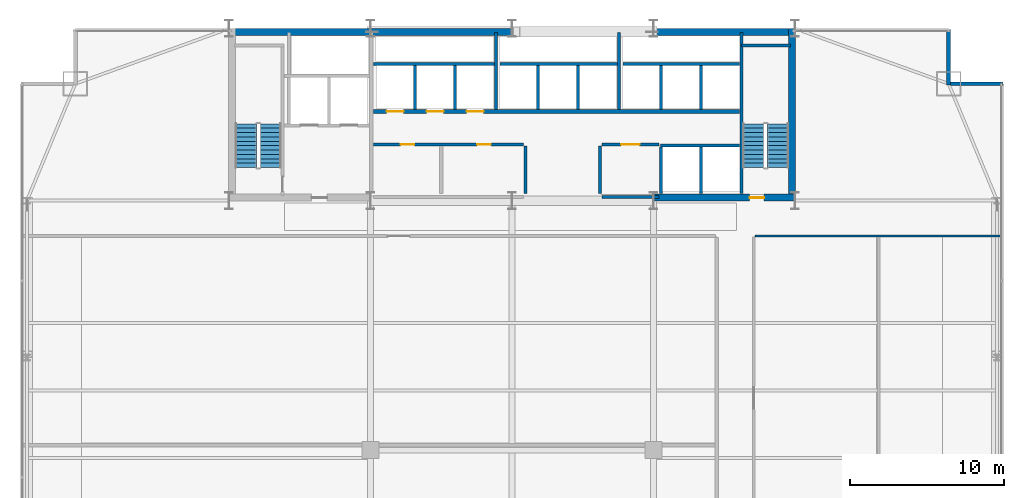
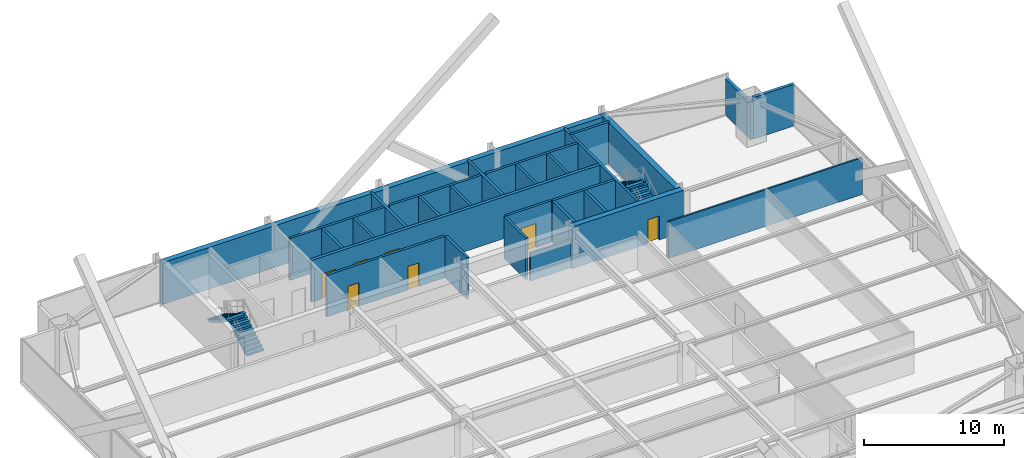
# One storey, part 29 of 32: 28 walls, 7 doors, 4 stair flights, 7 openings, 2 elements without a shape of their own.
"""IFC4 building model written with IfcOpenShell, lengths in metres."""

from ifc_helpers import new_model, si_unit, direction, frame, frame_2d, origin, place, context, subcontext, project, spatial, polyline, rectangle, outline, extrude, source, transform, mapped, material, layer, layer_set, type_object, type_shapes, element, fill, aggregate, save


model = new_model("IFC4")

# Units and contexts
model_context = context("Model", 3, precision=1e-05, world=origin(), true_north=direction((0.0, 1.0)))
body_context = subcontext(model_context, "Body", "Model", "MODEL_VIEW")
ifc_project = project(units=[si_unit("LENGTHUNIT", "METRE"), si_unit("AREAUNIT", "SQUARE_METRE"), si_unit("VOLUMEUNIT", "CUBIC_METRE"), si_unit("PLANEANGLEUNIT", "RADIAN"), si_unit("MASSUNIT", "GRAM", prefix="KILO")], contexts=[model_context])

# Site, building, storey
site_placement = place(None, origin())
site = spatial("IfcSite", under=ifc_project, at=site_placement, CompositionType="ELEMENT")
building_placement = place(site_placement, origin())
building = spatial("IfcBuilding", under=site, at=building_placement, Name="Varnel Quay Broadcast Tower", CompositionType="ELEMENT")
storey_placement = place(building_placement, frame((0.0, 0.0, 43.199951171875)))
storey = spatial("IfcBuildingStorey", under=building, at=storey_placement, Name="L09", CompositionType="ELEMENT", Elevation=43.199951171875)

# Walls
ifc_material_1 = material(Name="Concrete CSA A23.3 C50/60", Category="concrete")
ifc_layer_1 = layer(ifc_material_1, 0.199951171875, Name="Concrete CSA A23.3 C50/60")
ifc_layer_set_1 = layer_set([ifc_layer_1], Name="Concrete CSA A23.3 C50/60")
wall_type_1 = type_object("IfcWallType", Name="Wall_CoreShaftShear200", PredefinedType="SHEAR", material=ifc_layer_set_1)
wall_1_placement = place(storey_placement, frame((48.919921875, 36.050048828125, 0.0), z_axis=(0.0, 0.0, 1.0), x_axis=(0.0, 1.0, 0.0)))
element("IfcWall", 1, at=wall_1_placement, inside=storey, type_object=wall_type_1, Name="L09 Stair 2 West Structural Wall", PredefinedType="SHEAR", context=body_context, shape_type="SweptSolid", body=[
    extrude(rectangle(XDim=10.5, YDim=0.199951171875, at=frame_2d((5.25, 0.0))), origin(), (0.0, 0.0, 1.0), 3.650146484375),
])
wall_2_placement = place(storey_placement, frame((48.919921875, 45.679931640625, 0.0), z_axis=(0.0, 0.0, 1.0), x_axis=(1.0, 0.0, 0.0)))
element("IfcWall", 2, at=wall_2_placement, inside=storey, type_object=wall_type_1, Name="L09 Stair 2 North Structural Wall", PredefinedType="SHEAR", context=body_context, shape_type="SweptSolid", body=[
    extrude(rectangle(XDim=3.18017578125, YDim=0.199951171875, at=frame_2d((1.590087890625, 0.0))), origin(), (0.0, 0.0, 1.0), 3.650146484375),
])
wall_3_placement = place(storey_placement, frame((24.97998046875, 44.5, 0.0), z_axis=(0.0, 0.0, 1.0), x_axis=(1.0, 0.0, 0.0)))
element("IfcWall", 3, at=wall_3_placement, inside=storey, type_object=wall_type_1, Name="L09 Low-Rise Lift Shaft Rear Wall", PredefinedType="SHEAR", context=body_context, shape_type="SweptSolid", body=[
    extrude(rectangle(XDim=7.8701171875, YDim=0.199951171875, at=frame_2d((3.93505859375, 0.0))), origin(), (0.0, 0.0, 1.0), 3.650146484375),
])
for number, where, z_axis, x_axis, name in (
    (4, (27.699951171875, 41.530029296875, 0.0), (0.0, 0.0, 1.0), (0.0, 1.0, 0.0), "L09 Low-Rise Lift Shaft Divider 1"),
    (5, (30.300048828125, 41.530029296875, 0.0), (0.0, 0.0, 1.0), (0.0, 1.0, 0.0), "L09 Low-Rise Lift Shaft Divider 2"),
):
    element("IfcWall", number, at=place(storey_placement, frame(where, z_axis=z_axis, x_axis=x_axis)), inside=storey, type_object=wall_type_1, Name=name, PredefinedType="SHEAR", context=body_context, shape_type="SweptSolid", body=[
        extrude(rectangle(XDim=2.869873046875, YDim=0.199951171875, at=frame_2d((1.43505859375, 0.0))), origin(), (0.0, 0.0, 1.0), 3.650146484375),
    ])
wall_4_placement = place(storey_placement, frame((32.949951171875, 41.530029296875, 0.0), z_axis=(0.0, 0.0, 1.0), x_axis=(0.0, 1.0, 0.0)))
element("IfcWall", 6, at=wall_4_placement, inside=storey, type_object=wall_type_1, Name="L09 Low-Rise Lift Shaft Divider 3", PredefinedType="SHEAR", context=body_context, shape_type="SweptSolid", body=[
    extrude(rectangle(XDim=5.02001953125, YDim=0.199951171875, at=frame_2d((2.510009765625, 0.0))), origin(), (0.0, 0.0, 1.0), 3.650146484375),
])
wall_5_placement = place(storey_placement, frame((33.219970703125, 44.5, 0.0), z_axis=(0.0, 0.0, 1.0), x_axis=(1.0, 0.0, 0.0)))
element("IfcWall", 7, at=wall_5_placement, inside=storey, type_object=wall_type_1, Name="L09 Mid-Rise Lift Shaft Rear Wall", PredefinedType="SHEAR", context=body_context, shape_type="SweptSolid", body=[
    extrude(rectangle(XDim=7.630126953125, YDim=0.199951171875, at=frame_2d((3.81494140625, 0.0))), origin(), (0.0, 0.0, 1.0), 3.650146484375),
])
for number, where, z_axis, x_axis, name in (
    (8, (35.699951171875, 41.530029296875, 0.0), (0.0, 0.0, 1.0), (0.0, 1.0, 0.0), "L09 Mid-Rise Lift Shaft Divider 2"),
    (9, (38.300048828125, 41.530029296875, 0.0), (0.0, 0.0, 1.0), (0.0, 1.0, 0.0), "L09 Mid-Rise Lift Shaft Divider 3"),
):
    element("IfcWall", number, at=place(storey_placement, frame(where, z_axis=z_axis, x_axis=x_axis)), inside=storey, type_object=wall_type_1, Name=name, PredefinedType="SHEAR", context=body_context, shape_type="SweptSolid", body=[
        extrude(rectangle(XDim=2.869873046875, YDim=0.199951171875, at=frame_2d((1.43505859375, 0.0))), origin(), (0.0, 0.0, 1.0), 3.650146484375),
    ])
wall_6_placement = place(storey_placement, frame((40.949951171875, 41.530029296875, 0.0), z_axis=(0.0, 0.0, 1.0), x_axis=(0.0, 1.0, 0.0)))
element("IfcWall", 10, at=wall_6_placement, inside=storey, type_object=wall_type_1, Name="L09 Mid-Rise Lift Shaft Divider 4", PredefinedType="SHEAR", context=body_context, shape_type="SweptSolid", body=[
    extrude(rectangle(XDim=5.02001953125, YDim=0.199951171875, at=frame_2d((2.510009765625, 0.0))), origin(), (0.0, 0.0, 1.0), 3.650146484375),
])
wall_7_placement = place(storey_placement, frame((41.219970703125, 44.5, 0.0), z_axis=(0.0, 0.0, 1.0), x_axis=(1.0, 0.0, 0.0)))
element("IfcWall", 11, at=wall_7_placement, inside=storey, type_object=wall_type_1, Name="L09 High-Rise Lift Shaft Rear Wall", PredefinedType="SHEAR", context=body_context, shape_type="SweptSolid", body=[
    extrude(rectangle(XDim=7.580078125, YDim=0.199951171875, at=frame_2d((3.7900390625, 0.0))), origin(), (0.0, 0.0, 1.0), 3.650146484375),
])
for number, where, z_axis, x_axis, name in (
    (12, (43.699951171875, 41.530029296875, 0.0), (0.0, 0.0, 1.0), (0.0, 1.0, 0.0), "L09 High-Rise Lift Shaft Divider 2"),
    (13, (46.300048828125, 41.530029296875, 0.0), (0.0, 0.0, 1.0), (0.0, 1.0, 0.0), "L09 High-Rise Lift Shaft Divider 3"),
):
    element("IfcWall", number, at=place(storey_placement, frame(where, z_axis=z_axis, x_axis=x_axis)), inside=storey, type_object=wall_type_1, Name=name, PredefinedType="SHEAR", context=body_context, shape_type="SweptSolid", body=[
        extrude(rectangle(XDim=2.869873046875, YDim=0.199951171875, at=frame_2d((1.43505859375, 0.0))), origin(), (0.0, 0.0, 1.0), 3.650146484375),
    ])
for number, where, z_axis, x_axis, name in (
    (14, (43.699951171875, 36.050048828125, 0.0), (0.0, 0.0, 1.0), (0.0, 1.0, 0.0), "L09 Express Lift Shaft West Wall"),
    (15, (46.300048828125, 36.050048828125, 0.0), (0.0, 0.0, 1.0), (0.0, 1.0, 0.0), "L09 Express Lift Shaft Divider"),
):
    element("IfcWall", number, at=place(storey_placement, frame(where, z_axis=z_axis, x_axis=x_axis)), inside=storey, type_object=wall_type_1, Name=name, PredefinedType="SHEAR", context=body_context, shape_type="SweptSolid", body=[
        extrude(rectangle(XDim=3.050048828125, YDim=0.199951171875, at=frame_2d((1.52490234375, 0.0))), origin(), (0.0, 0.0, 1.0), 3.650146484375),
    ])
wall_8_placement = place(storey_placement, frame((43.64990234375, 39.199951171875, 0.0), z_axis=(0.0, 0.0, 1.0), x_axis=(1.0, 0.0, 0.0)))
element("IfcWall", 16, at=wall_8_placement, inside=storey, type_object=wall_type_1, Name="L09 Express Lift Shaft North Front Wall", PredefinedType="SHEAR", context=body_context, shape_type="SweptSolid", body=[
    extrude(rectangle(XDim=5.150146484375, YDim=0.199951171875, at=frame_2d((2.5751953125, 0.0))), origin(), (0.0, 0.0, 1.0), 3.650146484375),
])

# Wall, openings, doors
ifc_layer_2 = layer(ifc_material_1, 0.25, Name="Concrete CSA A23.3 C50/60")
ifc_layer_set_2 = layer_set([ifc_layer_2], Name="Concrete CSA A23.3 C50/60")
wall_type_2 = type_object("IfcWallType", Name="Wall_CoreShaftShear250", PredefinedType="SHEAR", material=ifc_layer_set_2)
wall_9_placement = place(storey_placement, frame((24.97998046875, 41.39990234375, 0.0), z_axis=(0.0, 0.0, 1.0), x_axis=(1.0, 0.0, 0.0)))
wall_9 = element("IfcWall", 17, at=wall_9_placement, inside=storey, type_object=wall_type_2, Name="L09 North Lift Bank & Reclaimed Suite Wall", PredefinedType="SHEAR", context=body_context, shape_type="SweptSolid", body=[
    extrude(rectangle(XDim=23.820068359375, YDim=0.25, at=frame_2d((11.91015625, 0.0))), origin(), (0.0, 0.0, 1.0), 3.650146484375),
])
opening_1_placement = place(wall_9_placement, frame((0.8701171875, 0.0, 0.0)))
opening_1 = element("IfcOpeningElement", 18, at=opening_1_placement, cuts=wall_9, Name="Opening LD-L09-PL-01", PredefinedType="OPENING", context=body_context, shape_type="SweptSolid", body=[
    extrude(rectangle(XDim=1.10009765625, YDim=2.179931640625, at=frame_2d((0.550048828125, 1.08984375))), frame((0.0, 0.135009765625, 0.0), z_axis=(0.0, -1.0, 0.0), x_axis=(1.0, 0.0, 0.0)), (0.0, 0.0, 1.0), 0.27001953125),
])
opening_2_placement = place(wall_9_placement, frame((3.469970703125, 0.0, 0.0)))
opening_2 = element("IfcOpeningElement", 19, at=opening_2_placement, cuts=wall_9, Name="Opening LD-L09-PL-02", PredefinedType="OPENING", context=body_context, shape_type="SweptSolid", body=[
    extrude(rectangle(XDim=1.10009765625, YDim=2.179931640625, at=frame_2d((0.550048828125, 1.08984375))), frame((0.0, 0.135009765625, 0.0), z_axis=(0.0, -1.0, 0.0), x_axis=(1.0, 0.0, 0.0)), (0.0, 0.0, 1.0), 0.27001953125),
])
opening_3_placement = place(wall_9_placement, frame((6.070068359375, 0.0, 0.0)))
opening_3 = element("IfcOpeningElement", 20, at=opening_3_placement, cuts=wall_9, Name="Opening LD-L09-PL-03", PredefinedType="OPENING", context=body_context, shape_type="SweptSolid", body=[
    extrude(rectangle(XDim=1.10009765625, YDim=2.179931640625, at=frame_2d((0.550048828125, 1.08984375))), frame((0.0, 0.135009765625, 0.0), z_axis=(0.0, -1.0, 0.0), x_axis=(1.0, 0.0, 0.0)), (0.0, 0.0, 1.0), 0.27001953125),
])
ifc_material_2 = material(Name="Brushed Bronze-Stainless Lift Car & Sliding Doors", Category="steel")
door_type_1 = type_object("IfcDoorType", Name="Door_LiftLanding1100", OperationType="SLIDING_TO_LEFT", PredefinedType="DOOR", material=ifc_material_2)
shared_shape_1 = source(origin(), body_context, "Body", "SweptSolid", [
    extrude(rectangle(XDim=1.10009765625, YDim=2.179931640625, at=frame_2d((0.550048828125, 1.08984375))), frame((0.0, 0.02490234375, 0.0), z_axis=(0.0, -1.0, 0.0), x_axis=(1.0, 0.0, 0.0)), (0.0, 0.0, 1.0), 0.050048828125),
])
type_shapes(door_type_1, [shared_shape_1])
door_1_placement = place(opening_1_placement, frame((1.10009765625, 0.0, 0.0), z_axis=(0.0, 0.0, 1.0), x_axis=(-1.0, 0.0, 0.0)))
door_1 = element("IfcDoor", 21, at=door_1_placement, inside=storey, type_object=door_type_1, Name="L09 Lift PL-01 Landing Door", OperationType="SLIDING_TO_LEFT", OverallHeight=2.179931640625, OverallWidth=1.10009765625, PredefinedType="DOOR", context=body_context, shape_type="MappedRepresentation", body=[
    mapped(shared_shape_1, transform((0.0, 0.0, 0.0), x_axis=(1.0, 0.0, 0.0), y_axis=(0.0, 1.0, 0.0), z_axis=(0.0, 0.0, 1.0), scale=1.0)),
])
fill(opening_1, door_1)
door_2_placement = place(opening_2_placement, frame((1.10009765625, 0.0, 0.0), z_axis=(0.0, 0.0, 1.0), x_axis=(-1.0, 0.0, 0.0)))
door_2 = element("IfcDoor", 22, at=door_2_placement, inside=storey, type_object=door_type_1, Name="L09 Lift PL-02 Landing Door", OperationType="SLIDING_TO_LEFT", OverallHeight=2.179931640625, OverallWidth=1.10009765625, PredefinedType="DOOR", context=body_context, shape_type="MappedRepresentation", body=[
    mapped(shared_shape_1, transform((0.0, 0.0, 0.0), x_axis=(1.0, 0.0, 0.0), y_axis=(0.0, 1.0, 0.0), z_axis=(0.0, 0.0, 1.0), scale=1.0)),
])
fill(opening_2, door_2)
door_3_placement = place(opening_3_placement, frame((1.10009765625, 0.0, 0.0), z_axis=(0.0, 0.0, 1.0), x_axis=(-1.0, 0.0, 0.0)))
door_3 = element("IfcDoor", 23, at=door_3_placement, inside=storey, type_object=door_type_1, Name="L09 Lift PL-03 Landing Door", OperationType="SLIDING_TO_LEFT", OverallHeight=2.179931640625, OverallWidth=1.10009765625, PredefinedType="DOOR", context=body_context, shape_type="MappedRepresentation", body=[
    mapped(shared_shape_1, transform((0.0, 0.0, 0.0), x_axis=(1.0, 0.0, 0.0), y_axis=(0.0, 1.0, 0.0), z_axis=(0.0, 0.0, 1.0), scale=1.0)),
])
fill(opening_3, door_3)

# Walls
ifc_material_3 = material(Name="Concrete CSA A23.3 C60/75", Category="concrete")
ifc_layer_3 = layer(ifc_material_3, 0.449951171875, Name="Concrete CSA A23.3 C60/75")
ifc_layer_set_3 = layer_set([ifc_layer_3], Name="Concrete CSA A23.3 C60/75")
wall_type_3 = type_object("IfcWallType", Name="Wall_CoreShearExt450", PredefinedType="SHEAR", material=ifc_layer_set_3)
wall_10_placement = place(storey_placement, frame((15.60009765625, 46.574951171875, 0.0), z_axis=(0.0, 0.0, 1.0), x_axis=(1.0, 0.0, 0.0)))
element("IfcWall", 24, at=wall_10_placement, inside=storey, type_object=wall_type_3, Name="L09 North Core Shear Wall", PredefinedType="SHEAR", context=body_context, shape_type="SweptSolid", body=[
    extrude(rectangle(XDim=36.7998046875, YDim=0.449951171875, at=frame_2d((18.39990234375, 0.0))), origin(), (0.0, 0.0, 1.0), 3.650146484375),
])
ifc_layer_4 = layer(ifc_material_3, 0.449951171875, Name="Concrete CSA A23.3 C60/75")
ifc_layer_set_4 = layer_set([ifc_layer_4], Name="Concrete CSA A23.3 C60/75")
wall_type_4 = type_object("IfcWallType", Name="Wall_CoreShearInt450", PredefinedType="SHEAR", material=ifc_layer_set_4)
wall_11_placement = place(storey_placement, frame((52.205078125, 35.570068359375, 0.0), z_axis=(0.0, 0.0, 1.0), x_axis=(0.0, 1.0, 0.0)))
element("IfcWall", 25, at=wall_11_placement, inside=storey, type_object=wall_type_4, Name="L09 East Core Shear Wall", PredefinedType="SHEAR", context=body_context, shape_type="SweptSolid", body=[
    extrude(rectangle(XDim=11.22998046875, YDim=0.449951171875, at=frame_2d((5.614990234375, 0.0))), origin(), (0.0, 0.0, 1.0), 3.650146484375),
])

# Wall, opening, door
wall_12_placement = place(storey_placement, frame((43.199951171875, 35.794921875, 0.0), z_axis=(0.0, 0.0, 1.0), x_axis=(1.0, 0.0, 0.0)))
wall_12 = element("IfcWall", 26, at=wall_12_placement, inside=storey, type_object=wall_type_4, Name="L09 South-East Core Shear Wall", PredefinedType="SHEAR", context=body_context, shape_type="SweptSolid", body=[
    extrude(rectangle(XDim=9.22998046875, YDim=0.449951171875, at=frame_2d((4.614990234375, 0.0))), origin(), (0.0, 0.0, 1.0), 3.650146484375),
])
opening_4_placement = place(wall_12_placement, frame((6.25, 0.0, 0.0)))
opening_4 = element("IfcOpeningElement", 27, at=opening_4_placement, cuts=wall_12, Name="Opening D-L09-S2", PredefinedType="OPENING", context=body_context, shape_type="SweptSolid", body=[
    extrude(rectangle(XDim=0.949951171875, YDim=2.10009765625, at=frame_2d((0.47509765625, 1.050048828125))), frame((0.0, 0.23486328125, 0.0), z_axis=(0.0, -1.0, 0.0), x_axis=(1.0, 0.0, 0.0)), (0.0, 0.0, 1.0), 0.469970703125),
])
ifc_material_4 = material(Name="Insulated Fire-Rated Hollow Steel Door", Category="steel")
door_type_2 = type_object("IfcDoorType", Name="Door_FireStair950", OperationType="NOTDEFINED", PredefinedType="DOOR", material=ifc_material_4)
shared_shape_2 = source(origin(), body_context, "Body", "SweptSolid", [
    extrude(rectangle(XDim=0.949951171875, YDim=2.10009765625, at=frame_2d((0.47509765625, 1.050048828125))), frame((0.0, 0.02490234375, 0.0), z_axis=(0.0, -1.0, 0.0), x_axis=(1.0, 0.0, 0.0)), (0.0, 0.0, 1.0), 0.050048828125),
])
type_shapes(door_type_2, [shared_shape_2])
door_4_placement = place(opening_4_placement, origin())
door_4 = element("IfcDoor", 28, at=door_4_placement, inside=storey, type_object=door_type_2, Name="L09 Stair 2 Fire Door", OperationType="SINGLE_SWING_RIGHT", OverallHeight=2.10009765625, OverallWidth=0.949951171875, PredefinedType="DOOR", context=body_context, shape_type="MappedRepresentation", body=[
    mapped(shared_shape_2, transform((0.0, 0.0, 0.0), x_axis=(1.0, 0.0, 0.0), y_axis=(0.0, 1.0, 0.0), z_axis=(0.0, 0.0, 1.0), scale=1.0)),
])
fill(opening_4, door_4)

# Walls
ifc_material_5 = material(Name="Precast Architectural Concrete C40/50", Category="concrete")
ifc_layer_5 = layer(ifc_material_5, 0.25, Name="Precast Architectural Concrete C40/50")
ifc_layer_set_5 = layer_set([ifc_layer_5], Name="Precast Architectural Concrete C40/50")
wall_type_5 = type_object("IfcWallType", Name="Wall_ExtTerrace250", PredefinedType="SOLIDWALL", material=ifc_layer_set_5)
wall_13_placement = place(storey_placement, frame((62.530029296875, 43.199951171875, 0.0), z_axis=(0.0, 0.0, 1.0), x_axis=(1.0, 0.0, 0.0)))
element("IfcWall", 29, at=wall_13_placement, inside=storey, type_object=wall_type_5, Name="L09 Mega-Column Notch Cladding Wall NNE1", PredefinedType="SOLIDWALL", context=body_context, shape_type="SweptSolid", body=[
    extrude(rectangle(XDim=3.389892578125, YDim=0.25, at=frame_2d((1.69482421875, 0.0))), origin(), (0.0, 0.0, 1.0), 3.630126953125),
])
wall_14_placement = place(storey_placement, frame((62.39990234375, 43.1201171875, 0.0), z_axis=(0.0, 0.0, 1.0), x_axis=(0.0, 1.0, 0.0)))
element("IfcWall", 30, at=wall_14_placement, inside=storey, type_object=wall_type_5, Name="L09 Mega-Column Notch Cladding Wall NNE2", PredefinedType="SOLIDWALL", context=body_context, shape_type="SweptSolid", body=[
    extrude(rectangle(XDim=3.599853515625, YDim=0.25, at=frame_2d((1.7998046875, 0.0))), origin(), (0.0, 0.0, 1.0), 3.2080078125),
])
ifc_material_6 = material(Name="Concrete Blockwork Fire Enclosure C40/50", Category="masonry")
ifc_layer_6 = layer(ifc_material_6, 0.199951171875, Name="Concrete Blockwork Fire Enclosure C40/50")
ifc_layer_set_6 = layer_set([ifc_layer_6], Name="Concrete Blockwork Fire Enclosure C40/50")
wall_type_6 = type_object("IfcWallType", Name="Wall_FireShaft200", PredefinedType="SOLIDWALL", material=ifc_layer_set_6)
wall_15_placement = place(storey_placement, frame((39.85009765625, 35.824951171875, 0.0), z_axis=(0.0, 0.0, 1.0), x_axis=(1.0, 0.0, 0.0)))
element("IfcWall", 31, at=wall_15_placement, inside=storey, type_object=wall_type_6, Name="L09 Electrical Sub-Distribution Closet Partition 5", PredefinedType="SOLIDWALL", context=body_context, shape_type="SweptSolid", body=[
    extrude(rectangle(XDim=3.699951171875, YDim=0.199951171875, at=frame_2d((1.85009765625, 0.0))), origin(), (0.0, 0.0, 1.0), 2.425048828125),
])

# Wall, opening, door
wall_16_placement = place(storey_placement, frame((39.85009765625, 39.25, 0.0), z_axis=(0.0, 0.0, 1.0), x_axis=(1.0, 0.0, 0.0)))
wall_16 = element("IfcWall", 32, at=wall_16_placement, inside=storey, type_object=wall_type_6, Name="L09 Electrical Sub-Distribution Closet Partition 6", PredefinedType="SOLIDWALL", context=body_context, shape_type="SweptSolid", body=[
    extrude(rectangle(XDim=3.699951171875, YDim=0.199951171875, at=frame_2d((1.85009765625, 0.0))), origin(), (0.0, 0.0, 1.0), 3.630126953125),
])
opening_5_placement = place(wall_16_placement, frame((1.25, 0.0, 0.0)))
opening_5 = element("IfcOpeningElement", 33, at=opening_5_placement, cuts=wall_16, Name="Opening D-L09-03", PredefinedType="OPENING", context=body_context, shape_type="SweptSolid", body=[
    extrude(rectangle(XDim=1.199951171875, YDim=2.10009765625, at=frame_2d((0.60009765625, 1.050048828125))), frame((0.0, 0.10986328125, 0.0), z_axis=(0.0, -1.0, 0.0), x_axis=(1.0, 0.0, 0.0)), (0.0, 0.0, 1.0), 0.219970703125),
])
door_type_3 = type_object("IfcDoorType", Name="Door_Plant1200", OperationType="NOTDEFINED", PredefinedType="DOOR", material=ifc_material_4)
shared_shape_3 = source(origin(), body_context, "Body", "SweptSolid", [
    extrude(rectangle(XDim=1.199951171875, YDim=2.10009765625, at=frame_2d((0.60009765625, 1.050048828125))), frame((0.0, 0.02490234375, 0.0), z_axis=(0.0, -1.0, 0.0), x_axis=(1.0, 0.0, 0.0)), (0.0, 0.0, 1.0), 0.050048828125),
])
type_shapes(door_type_3, [shared_shape_3])
door_5_placement = place(opening_5_placement, origin())
door_5 = element("IfcDoor", 34, at=door_5_placement, inside=storey, type_object=door_type_3, Name="L09 Electrical Sub-Distribution Closet Door D-L09-03", OperationType="SINGLE_SWING_LEFT", OverallHeight=2.10009765625, OverallWidth=1.199951171875, PredefinedType="DOOR", context=body_context, shape_type="MappedRepresentation", body=[
    mapped(shared_shape_3, transform((0.0, 0.0, 0.0), x_axis=(1.0, 0.0, 0.0), y_axis=(0.0, 1.0, 0.0), z_axis=(0.0, 0.0, 1.0), scale=1.0)),
])
fill(opening_5, door_5)

# Walls
wall_17_placement = place(storey_placement, frame((39.72509765625, 36.050048828125, 0.0), z_axis=(0.0, 0.0, 1.0), x_axis=(0.0, 1.0, 0.0)))
element("IfcWall", 35, at=wall_17_placement, inside=storey, type_object=wall_type_6, Name="L09 Electrical Sub-Distribution Closet Partition 7", PredefinedType="SOLIDWALL", context=body_context, shape_type="SweptSolid", body=[
    extrude(rectangle(XDim=3.099853515625, YDim=0.199951171875, at=frame_2d((1.5498046875, 0.0))), origin(), (0.0, 0.0, 1.0), 3.630126953125),
])
ifc_material_7 = material(Name="Steel-Stud Fire-Rated Acoustic Gypsum Partition Assembly", Category="steel")
ifc_layer_7 = layer(ifc_material_7, 0.139892578125, Name="Steel-Stud Fire-Rated Acoustic Gypsum Partition Assembly")
ifc_layer_set_7 = layer_set([ifc_layer_7], Name="Steel-Stud Fire-Rated Acoustic Gypsum Partition Assembly")
wall_type_7 = type_object("IfcWallType", Name="Wall_Partition140", PredefinedType="PARTITIONING", material=ifc_layer_set_7)
wall_18_placement = place(storey_placement, frame((49.820068359375, 33.300048828125, 0.0), z_axis=(0.0, 0.0, 1.0), x_axis=(1.0, 0.0, 0.0)))
element("IfcWall", 36, at=wall_18_placement, inside=storey, type_object=wall_type_7, Name="L09 Talent Lounge 5 Partition 15", PredefinedType="PARTITIONING", context=body_context, shape_type="SweptSolid", body=[
    extrude(rectangle(XDim=16.0, YDim=0.139892578125, at=frame_2d((8.0, 0.0))), origin(), (0.0, 0.0, 1.0), 3.2080078125),
])

# Wall, openings, doors
ifc_material_8 = material(Name="Fire-Rated Moisture-Resistant Plumbing Chase Partition")
ifc_layer_8 = layer(ifc_material_8, 0.199951171875, Name="Fire-Rated Moisture-Resistant Plumbing Chase Partition")
ifc_layer_set_8 = layer_set([ifc_layer_8], Name="Fire-Rated Moisture-Resistant Plumbing Chase Partition")
wall_type_8 = type_object("IfcWallType", Name="Wall_Plumbing200", PredefinedType="PLUMBINGWALL", material=ifc_layer_set_8)
wall_19_placement = place(storey_placement, frame((25.0, 39.25, 0.0), z_axis=(0.0, 0.0, 1.0), x_axis=(1.0, 0.0, 0.0)))
wall_19 = element("IfcWall", 37, at=wall_19_placement, inside=storey, type_object=wall_type_8, Name="L09 Accessible Washroom Partition 3", PredefinedType="PLUMBINGWALL", context=body_context, shape_type="SweptSolid", body=[
    extrude(rectangle(XDim=9.75, YDim=0.199951171875, at=frame_2d((4.875, 0.0))), origin(), (0.0, 0.0, 1.0), 3.630126953125),
])
opening_6_placement = place(wall_19_placement, frame((1.75, 0.0, 0.0)))
opening_6 = element("IfcOpeningElement", 38, at=opening_6_placement, cuts=wall_19, Name="Opening D-L09-01", PredefinedType="OPENING", context=body_context, shape_type="SweptSolid", body=[
    extrude(rectangle(XDim=0.89990234375, YDim=2.06005859375, at=frame_2d((0.449951171875, 1.030029296875))), frame((0.0, 0.10986328125, 0.0), z_axis=(0.0, -1.0, 0.0), x_axis=(1.0, 0.0, 0.0)), (0.0, 0.0, 1.0), 0.219970703125),
])
opening_7_placement = place(wall_19_placement, frame((6.72509765625, 0.0, 0.0)))
opening_7 = element("IfcOpeningElement", 39, at=opening_7_placement, cuts=wall_19, Name="Opening D-L09-02", PredefinedType="OPENING", context=body_context, shape_type="SweptSolid", body=[
    extrude(rectangle(XDim=0.89990234375, YDim=2.06005859375, at=frame_2d((0.449951171875, 1.030029296875))), frame((0.0, 0.10986328125, 0.0), z_axis=(0.0, -1.0, 0.0), x_axis=(1.0, 0.0, 0.0)), (0.0, 0.0, 1.0), 0.219970703125),
])
ifc_material_9 = material(Name="Solid-Core Fire-Rated Acoustic Oak Veneer Door", Category="wood")
door_type_4 = type_object("IfcDoorType", Name="Door_Washroom900", OperationType="NOTDEFINED", PredefinedType="DOOR", material=ifc_material_9)
shared_shape_4 = source(origin(), body_context, "Body", "SweptSolid", [
    extrude(rectangle(XDim=0.89990234375, YDim=2.06005859375, at=frame_2d((0.449951171875, 1.030029296875))), frame((0.0, 0.02490234375, 0.0), z_axis=(0.0, -1.0, 0.0), x_axis=(1.0, 0.0, 0.0)), (0.0, 0.0, 1.0), 0.050048828125),
])
type_shapes(door_type_4, [shared_shape_4])
door_6_placement = place(opening_6_placement, frame((0.89990234375, 0.0, 0.0), z_axis=(0.0, 0.0, 1.0), x_axis=(-1.0, 0.0, 0.0)))
door_6 = element("IfcDoor", 40, at=door_6_placement, inside=storey, type_object=door_type_4, Name="L09 Accessible Washroom Door D-L09-01", OperationType="SINGLE_SWING_LEFT", OverallHeight=2.06005859375, OverallWidth=0.89990234375, PredefinedType="DOOR", context=body_context, shape_type="MappedRepresentation", body=[
    mapped(shared_shape_4, transform((0.0, 0.0, 0.0), x_axis=(1.0, 0.0, 0.0), y_axis=(0.0, 1.0, 0.0), z_axis=(0.0, 0.0, 1.0), scale=1.0)),
])
fill(opening_6, door_6)
door_7_placement = place(opening_7_placement, frame((0.89990234375, 0.0, 0.0), z_axis=(0.0, 0.0, 1.0), x_axis=(-1.0, 0.0, 0.0)))
door_7 = element("IfcDoor", 41, at=door_7_placement, inside=storey, type_object=door_type_4, Name="L09 Staff Washrooms Door D-L09-02", OperationType="SINGLE_SWING_RIGHT", OverallHeight=2.06005859375, OverallWidth=0.89990234375, PredefinedType="DOOR", context=body_context, shape_type="MappedRepresentation", body=[
    mapped(shared_shape_4, transform((0.0, 0.0, 0.0), x_axis=(1.0, 0.0, 0.0), y_axis=(0.0, 1.0, 0.0), z_axis=(0.0, 0.0, 1.0), scale=1.0)),
])
fill(opening_7, door_7)

# Wall
wall_20_placement = place(storey_placement, frame((34.875, 36.050048828125, 0.0), z_axis=(0.0, 0.0, 1.0), x_axis=(0.0, 1.0, 0.0)))
element("IfcWall", 42, at=wall_20_placement, inside=storey, type_object=wall_type_8, Name="L09 Staff Washrooms Partition 4", PredefinedType="PLUMBINGWALL", context=body_context, shape_type="SweptSolid", body=[
    extrude(rectangle(XDim=3.099853515625, YDim=0.199951171875, at=frame_2d((1.5498046875, 0.0))), origin(), (0.0, 0.0, 1.0), 3.630126953125),
])

# Stair, stair flights
ifc_material_10 = material(Name="Precast Structural Concrete C40/50", Category="concrete")
stair_type_1 = type_object("IfcStairType", Name="Stair_ST-01", PredefinedType="HALF_TURN_STAIR", material=ifc_material_10)
stair_1_placement = place(storey_placement, origin())
stair_1 = element("IfcStair", 43, at=stair_1_placement, inside=storey, type_object=stair_type_1, Name="L09 West Core Exit Stair 1", PredefinedType="HALF_TURN_STAIR")
stair_flight_type_1 = type_object("IfcStairFlightType", Name="Flight_ST-01", PredefinedType="STRAIGHT", material=ifc_material_10)
stair_flight_1_placement = place(storey_placement, frame((18.300048828125, 37.75, 0.0), z_axis=(0.0, 0.0, 1.0), x_axis=(0.0, 1.0, 0.0)))
stair_flight_1 = element("IfcStairFlight", 44, at=stair_flight_1_placement, type_object=stair_flight_type_1, Name="ST-01 flight 1", NumberOfRisers=11, NumberOfTreads=10, PredefinedType="STRAIGHT", RiserHeight=0.177272727, TreadLength=0.285, context=body_context, shape_type="SweptSolid", body=[
    extrude(outline(polyline([(0.0, 0.0), (0.0, 0.17724609375), (0.284912109375, 0.17724609375), (0.284912109375, 0.3544921875), (0.570068359375, 0.3544921875), (0.570068359375, 0.53173828125), (0.85498046875, 0.53173828125), (0.85498046875, 0.708984375), (1.139892578125, 0.708984375), (1.139892578125, 0.886474609375), (1.425048828125, 0.886474609375), (1.425048828125, 1.063720703125), (1.7099609375, 1.063720703125), (1.7099609375, 1.240966796875), (1.9951171875, 1.240966796875), (1.9951171875, 1.418212890625), (2.280029296875, 1.418212890625), (2.280029296875, 1.595458984375), (2.56494140625, 1.595458984375), (2.56494140625, 1.772705078125), (2.85009765625, 1.772705078125), (2.85009765625, 1.949951171875), (2.85009765625, 1.59619140625), (0.283935546875, 0.0), (0.0, 0.0)])), frame((0.0, 0.699951171875, 0.0), z_axis=(0.0, -1.0, 0.0), x_axis=(1.0, 0.0, 0.0)), (0.0, 0.0, 1.0), 1.39990234375),
])
stair_flight_2_placement = place(storey_placement, frame((16.699951171875, 40.60009765625, 1.949951171875), z_axis=(0.0, 0.0, 1.0), x_axis=(0.0, -1.0, 0.0)))
stair_flight_2 = element("IfcStairFlight", 45, at=stair_flight_2_placement, type_object=stair_flight_type_1, Name="ST-01 flight 2", NumberOfRisers=11, NumberOfTreads=10, PredefinedType="STRAIGHT", RiserHeight=0.177272727, TreadLength=0.285, context=body_context, shape_type="SweptSolid", body=[
    extrude(outline(polyline([(0.0, 0.0), (0.0, 0.17724609375), (0.284912109375, 0.17724609375), (0.284912109375, 0.3544921875), (0.570068359375, 0.3544921875), (0.570068359375, 0.53173828125), (0.85498046875, 0.53173828125), (0.85498046875, 0.708984375), (1.139892578125, 0.708984375), (1.139892578125, 0.886474609375), (1.425048828125, 0.886474609375), (1.425048828125, 1.063720703125), (1.7099609375, 1.063720703125), (1.7099609375, 1.240966796875), (1.9951171875, 1.240966796875), (1.9951171875, 1.418212890625), (2.280029296875, 1.418212890625), (2.280029296875, 1.595458984375), (2.56494140625, 1.595458984375), (2.56494140625, 1.772705078125), (2.85009765625, 1.772705078125), (2.85009765625, 1.949951171875), (2.85009765625, 1.59619140625), (0.283935546875, 0.0), (0.0, 0.0)])), frame((0.0, 0.699951171875, 0.0), z_axis=(0.0, -1.0, 0.0), x_axis=(1.0, 0.0, 0.0)), (0.0, 0.0, 1.0), 1.39990234375),
])
aggregate(stair_1, [stair_flight_1, stair_flight_2])

stair_type_2 = type_object("IfcStairType", Name="Stair_ST-02", PredefinedType="HALF_TURN_STAIR", material=ifc_material_10)
stair_2_placement = place(storey_placement, origin())
stair_2 = element("IfcStair", 46, at=stair_2_placement, inside=storey, type_object=stair_type_2, Name="L09 East Core Exit Stair 2", PredefinedType="HALF_TURN_STAIR")
stair_flight_type_2 = type_object("IfcStairFlightType", Name="Flight_ST-02", PredefinedType="STRAIGHT", material=ifc_material_10)
stair_flight_3_placement = place(storey_placement, frame((51.300048828125, 37.75, 0.0), z_axis=(0.0, 0.0, 1.0), x_axis=(0.0, 1.0, 0.0)))
stair_flight_3 = element("IfcStairFlight", 47, at=stair_flight_3_placement, type_object=stair_flight_type_2, Name="ST-02 flight 1", NumberOfRisers=11, NumberOfTreads=10, PredefinedType="STRAIGHT", RiserHeight=0.177272727, TreadLength=0.285, context=body_context, shape_type="SweptSolid", body=[
    extrude(outline(polyline([(0.0, 0.0), (0.0, 0.17724609375), (0.284912109375, 0.17724609375), (0.284912109375, 0.3544921875), (0.570068359375, 0.3544921875), (0.570068359375, 0.53173828125), (0.85498046875, 0.53173828125), (0.85498046875, 0.708984375), (1.139892578125, 0.708984375), (1.139892578125, 0.886474609375), (1.425048828125, 0.886474609375), (1.425048828125, 1.063720703125), (1.7099609375, 1.063720703125), (1.7099609375, 1.240966796875), (1.9951171875, 1.240966796875), (1.9951171875, 1.418212890625), (2.280029296875, 1.418212890625), (2.280029296875, 1.595458984375), (2.56494140625, 1.595458984375), (2.56494140625, 1.772705078125), (2.85009765625, 1.772705078125), (2.85009765625, 1.949951171875), (2.85009765625, 1.59619140625), (0.283935546875, 0.0), (0.0, 0.0)])), frame((0.0, 0.699951171875, 0.0), z_axis=(0.0, -1.0, 0.0), x_axis=(1.0, 0.0, 0.0)), (0.0, 0.0, 1.0), 1.39990234375),
])
stair_flight_4_placement = place(storey_placement, frame((49.699951171875, 40.60009765625, 1.949951171875), z_axis=(0.0, 0.0, 1.0), x_axis=(0.0, -1.0, 0.0)))
stair_flight_4 = element("IfcStairFlight", 48, at=stair_flight_4_placement, type_object=stair_flight_type_2, Name="ST-02 flight 2", NumberOfRisers=11, NumberOfTreads=10, PredefinedType="STRAIGHT", RiserHeight=0.177272727, TreadLength=0.285, context=body_context, shape_type="SweptSolid", body=[
    extrude(outline(polyline([(0.0, 0.0), (0.0, 0.17724609375), (0.284912109375, 0.17724609375), (0.284912109375, 0.3544921875), (0.570068359375, 0.3544921875), (0.570068359375, 0.53173828125), (0.85498046875, 0.53173828125), (0.85498046875, 0.708984375), (1.139892578125, 0.708984375), (1.139892578125, 0.886474609375), (1.425048828125, 0.886474609375), (1.425048828125, 1.063720703125), (1.7099609375, 1.063720703125), (1.7099609375, 1.240966796875), (1.9951171875, 1.240966796875), (1.9951171875, 1.418212890625), (2.280029296875, 1.418212890625), (2.280029296875, 1.595458984375), (2.56494140625, 1.595458984375), (2.56494140625, 1.772705078125), (2.85009765625, 1.772705078125), (2.85009765625, 1.949951171875), (2.85009765625, 1.59619140625), (0.283935546875, 0.0), (0.0, 0.0)])), frame((0.0, 0.699951171875, 0.0), z_axis=(0.0, -1.0, 0.0), x_axis=(1.0, 0.0, 0.0)), (0.0, 0.0, 1.0), 1.39990234375),
])
aggregate(stair_2, [stair_flight_3, stair_flight_4])

save(model, "model.ifc")
